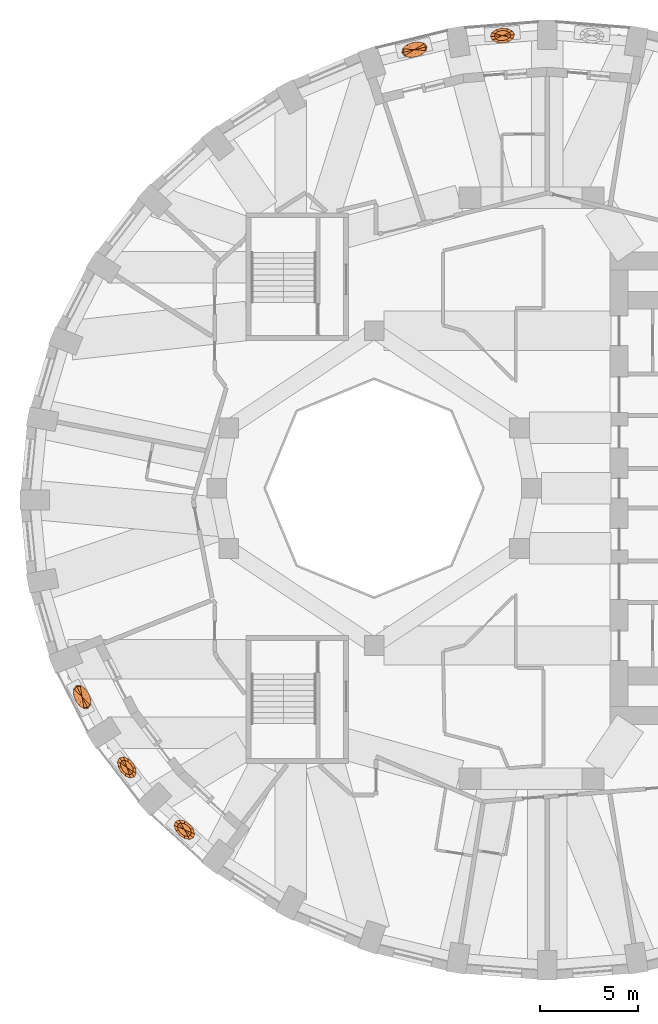
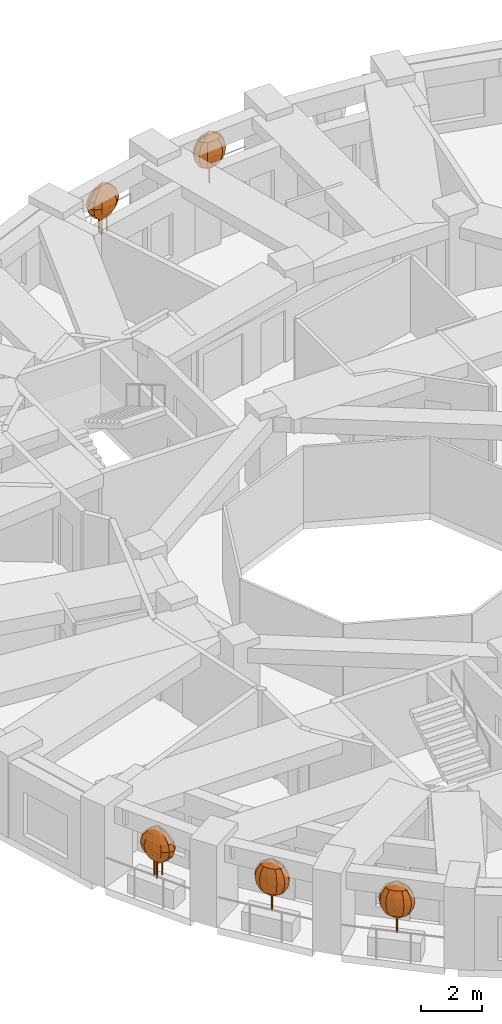
# One storey, part 11 of 12: 5 geographic elements.
"""IFC4 building model written with IfcOpenShell, lengths in metres."""

import ifcopenshell
import ifcopenshell.guid

model = None  # the IFC model being written
_history = None  # IfcOwnerHistory: only IFC2X3 demands one
_inside = {}  # id of a spatial element -> (the spatial element, [elements in it])
_under = {}  # id of a project, library or spatial element -> (it, [spatial elements below it])
_declared = {}  # id of a project -> (the project, [libraries it declares])
_typed = {}  # id of a type object -> (the type object, [elements of that type])
_made_of = {}  # id of a material, layer set ... -> (it, [elements and type objects made of it])


def new_model(schema):
    """Start an empty IFC model of exactly this schema.

    Asked for "IFC4X3", IfcOpenShell would pick the latest addendum, in which some entities
    have other attributes; the version numbers below select the first issue.
    IFC2X3 requires an IfcOwnerHistory on every rooted entity: one is made here for all.
    """
    global model, _history
    if schema == "IFC4X3":
        model = ifcopenshell.file(schema_version=(4, 3, 0, 0))
    else:
        model = ifcopenshell.file(schema=schema)
    _inside.clear()
    _under.clear()
    _declared.clear()
    _typed.clear()
    _made_of.clear()
    _history = None
    if model.schema == "IFC2X3":
        org = make("IfcOrganization", Name="unknown")
        user = make(
            "IfcPersonAndOrganization",
            ThePerson=make("IfcPerson", FamilyName="unknown"),
            TheOrganization=org,
        )
        app = make(
            "IfcApplication",
            ApplicationDeveloper=org,
            Version="unknown",
            ApplicationFullName="unknown",
            ApplicationIdentifier="unknown",
        )
        _history = make(
            "IfcOwnerHistory",
            OwningUser=user,
            OwningApplication=app,
            ChangeAction="ADDED",
            CreationDate=0,
        )
    return model


def make(cls, **values):
    """One entity of the class cls with the attributes given. An attribute that is None is left unset."""
    return model.create_entity(
        cls, **{name: value for name, value in values.items() if value is not None}
    )


def rooted(cls, **values):
    """An entity with a GlobalId (a new one), such as an element, a storey or a relation."""
    return make(cls, GlobalId=ifcopenshell.guid.new(), OwnerHistory=_history, **values)


def si_unit(unit_type, name, prefix=None):
    """IfcSIUnit, for example si_unit("LENGTHUNIT", "METRE", prefix="MILLI")."""
    return make("IfcSIUnit", UnitType=unit_type, Prefix=prefix, Name=name)


def assignment(units):
    """IfcUnitAssignment: the units of a project."""
    return None if units is None else make("IfcUnitAssignment", Units=units)


def point(xyz):
    """IfcCartesianPoint."""
    return None if xyz is None else make("IfcCartesianPoint", Coordinates=xyz)


def direction(xyz):
    """IfcDirection."""
    return None if xyz is None else make("IfcDirection", DirectionRatios=xyz)


def frame(location, z_axis=None, x_axis=None):
    """IfcAxis2Placement3D, a coordinate frame: its origin and axes. An axis left out is left unset."""
    return make(
        "IfcAxis2Placement3D",
        Location=point(location),
        Axis=direction(z_axis),
        RefDirection=direction(x_axis),
    )


def origin():
    """The frame at (0, 0, 0) with its axes left unset."""
    return frame((0.0, 0.0, 0.0))


def place(relative_to, where):
    """IfcLocalPlacement: puts the frame where relative to a parent placement (None: the world)."""
    return make(
        "IfcLocalPlacement", PlacementRelTo=relative_to, RelativePlacement=where
    )


def context(
    kind, dimensions, precision=None, world=None, true_north=None, identifier=None
):
    """IfcGeometricRepresentationContext, for example the 3D "Model" context."""
    return make(
        "IfcGeometricRepresentationContext",
        ContextIdentifier=identifier,
        ContextType=kind,
        CoordinateSpaceDimension=dimensions,
        Precision=precision,
        WorldCoordinateSystem=world,
        TrueNorth=true_north,
    )


def subcontext(parent, identifier, kind, view, scale=None):
    """IfcGeometricRepresentationSubContext, for example "Body" below "Model"."""
    return make(
        "IfcGeometricRepresentationSubContext",
        ContextIdentifier=identifier,
        ContextType=kind,
        ParentContext=parent,
        TargetScale=scale,
        TargetView=view,
    )


def project(units=None, contexts=None):
    """IfcProject with its units and contexts."""
    return rooted(
        "IfcProject",
        Name="project",
        RepresentationContexts=contexts,
        UnitsInContext=assignment(units),
    )


def spatial(cls, under=None, at=None, **own):
    """A site, building, storey or space (cls), placed at a placement, below another one or the project."""
    s = rooted(cls, ObjectPlacement=at, **own)
    if under is not None:
        _under.setdefault(under.id(), (under, []))[1].append(s)
    return s


def faces_of(points, faces, orient=None, outer=None):
    """IfcFace entities. A face is a list of loops; a loop is a list of indices into points, from 0.

    orient and outer hold one flag for each loop. By default every Orientation is true, the
    first loop of a face is its IfcFaceOuterBound and the others are IfcFaceBound.
    """
    made = []
    for i, loops in enumerate(faces):
        bounds = []
        for j, loop in enumerate(loops):
            is_outer = j == 0 if outer is None else outer[i][j]
            bounds.append(
                make(
                    "IfcFaceOuterBound" if is_outer else "IfcFaceBound",
                    Bound=make("IfcPolyLoop", Polygon=[points[k] for k in loop]),
                    Orientation=True if orient is None else orient[i][j],
                )
            )
        made.append(make("IfcFace", Bounds=bounds))
    return made


def faceted_brep(points, faces, orient=None, outer=None, voids=None):
    """IfcFacetedBrep: a solid bounded by flat faces; with voids (closed shells), ...WithVoids."""
    shared = [point(p) for p in points]
    hull = make("IfcClosedShell", CfsFaces=faces_of(shared, faces, orient, outer))
    if voids is None:
        return make("IfcFacetedBrep", Outer=hull)
    return make(
        "IfcFacetedBrepWithVoids",
        Outer=hull,
        Voids=[
            make(cls, CfsFaces=faces_of(shared, fs, o, b)) for cls, fs, o, b in voids
        ],
    )


def shape(context_of_items, identifier, shape_type, items):
    """IfcShapeRepresentation: the items that make up one representation, for example the "Body"."""
    return make(
        "IfcShapeRepresentation",
        ContextOfItems=context_of_items,
        RepresentationIdentifier=identifier,
        RepresentationType=shape_type,
        Items=items,
    )


def material(Name=None, Category=None):
    """IfcMaterial."""
    return make("IfcMaterial", Name=Name, Category=Category)


def constituent(of_material, Name=None, Category=None, fraction=None):
    """IfcMaterialConstituent: one of the materials an element consists of."""
    return make(
        "IfcMaterialConstituent",
        Name=Name,
        Material=of_material,
        Fraction=fraction,
        Category=Category,
    )


def constituent_set(constituents=None, Name=None):
    """IfcMaterialConstituentSet."""
    return make(
        "IfcMaterialConstituentSet", Name=Name, MaterialConstituents=constituents
    )


def made_of(thing, what):
    """Note that an element or type object is made of a material, layer set ...; save() writes the relation."""
    if what is not None:
        _made_of.setdefault(what.id(), (what, []))[1].append(thing)
    return thing


def type_object(cls, material=None, **own):
    """A type object (cls), such as IfcWallType, which elements share."""
    return made_of(rooted(cls, **own), material)


def element(
    cls,
    number,
    at=None,
    inside=None,
    cuts=None,
    type_object=None,
    material=None,
    context=None,
    identifier="Body",
    shape_type=None,
    held_by="IfcProductDefinitionShape",
    body=None,
    shapes=None,
    **own,
):
    """One element of the class cls, such as IfcWall. Its Tag is "e" and its number.

    at: its placement. inside: the storey or other place that contains it. cuts: it is an
    opening in that element (IfcRelVoidsElement). A single representation is given by context,
    identifier, shape_type and body (its items); several are given by shapes. held_by: the class
    of the entity that holds the representations. save() writes the other relations.
    """
    e = rooted(cls, Tag="e%d" % number, ObjectPlacement=at, **own)
    if body is not None:
        shapes = [shape(context, identifier, shape_type, body)]
    if shapes is not None:
        e.Representation = make(held_by, Representations=shapes)
    if inside is not None:
        _inside.setdefault(inside.id(), (inside, []))[1].append(e)
    if cuts is not None:
        rooted(
            "IfcRelVoidsElement", RelatingBuildingElement=cuts, RelatedOpeningElement=e
        )
    if type_object is not None:
        _typed.setdefault(type_object.id(), (type_object, []))[1].append(e)
    return made_of(e, material)


def aggregate(whole, parts):
    """IfcRelAggregates: a whole, such as a stair, and the parts it consists of."""
    return rooted("IfcRelAggregates", RelatingObject=whole, RelatedObjects=parts)


def save(model, path):
    """Write the relations noted so far, then the file.

    IfcRelAggregates (storeys below a building ...), IfcRelContainedInSpatialStructure (elements
    in a storey), IfcRelDefinesByType, IfcRelAssociatesMaterial and IfcRelDeclares: one each for
    every whole, place, type object, material and project.
    """
    for whole, parts in _under.values():
        aggregate(whole, parts)
    for where, things in _inside.values():
        rooted(
            "IfcRelContainedInSpatialStructure",
            RelatedElements=things,
            RelatingStructure=where,
        )
    for kind, things in _typed.values():
        rooted("IfcRelDefinesByType", RelatedObjects=things, RelatingType=kind)
    for what, things in _made_of.values():
        rooted("IfcRelAssociatesMaterial", RelatedObjects=things, RelatingMaterial=what)
    for by, libraries in _declared.values():
        rooted("IfcRelDeclares", RelatingContext=by, RelatedDefinitions=libraries)
    model.write(path)


model = new_model("IFC4")

# Units and contexts
model_context = context("Model", 3, precision=1e-05, world=origin(), true_north=direction((0.0, 1.0)))
body_context = subcontext(model_context, "Body", "Model", "MODEL_VIEW")
ifc_project = project(units=[si_unit("LENGTHUNIT", "METRE"), si_unit("AREAUNIT", "SQUARE_METRE"), si_unit("VOLUMEUNIT", "CUBIC_METRE"), si_unit("PLANEANGLEUNIT", "RADIAN"), si_unit("MASSUNIT", "GRAM", prefix="KILO")], contexts=[model_context])

# Site, building, storey
site_placement = place(None, origin())
site = spatial("IfcSite", under=ifc_project, at=site_placement, CompositionType="ELEMENT")
building_placement = place(site_placement, origin())
building = spatial("IfcBuilding", under=site, at=building_placement, Name="Taillehof Tower", CompositionType="ELEMENT")
storey_placement = place(building_placement, frame((0.0, 0.0, 92.199951171875)))
storey = spatial("IfcBuildingStorey", under=building, at=storey_placement, Name="L25", CompositionType="ELEMENT", Elevation=92.199951171875)

# Geographic elements
ifc_material_1 = material(Name="Tree bark", Category="timber")
ifc_constituent_1 = constituent(ifc_material_1, Name="Trunk", Category="timber")
ifc_material_2 = material(Name="Tree foliage")
ifc_constituent_2 = constituent(ifc_material_2, Name="Crown")
ifc_constituent_set_1 = constituent_set(constituents=[ifc_constituent_1, ifc_constituent_2], Name="Tree TR1 Columnar hornbeam")
geographic_element_type_1 = type_object("IfcGeographicElementType", Name="Tree TR1 Columnar hornbeam", PredefinedType="USERDEFINED", material=ifc_constituent_set_1)
geographic_element_1_placement = place(storey_placement, frame((-20.56689453125, -14.196044921875, 0.75)))
element("IfcGeographicElement", 1, at=geographic_element_1_placement, inside=storey, type_object=geographic_element_type_1, Name="Tree TR1 Columnar hornbeam", ObjectType="TREE", PredefinedType="USERDEFINED", context=body_context, shape_type="Brep", body=[
    faceted_brep([(0.030029296875, 0.0, 0.0), (0.021240234375, 0.021240234375, 0.0), (0.021240234375, 0.021240234375, 1.092529296875), (0.030029296875, 0.0, 1.092529296875), (0.0, 0.030029296875, 0.0), (0.0, 0.030029296875, 1.092529296875), (-0.021240234375, 0.021240234375, 0.0), (-0.021240234375, 0.021240234375, 1.092529296875), (-0.030029296875, 0.0, 0.0), (-0.030029296875, 0.0, 1.092529296875), (-0.021240234375, -0.021240234375, 0.0), (-0.021240234375, -0.021240234375, 1.092529296875), (0.0, -0.030029296875, 0.0), (0.0, -0.030029296875, 1.092529296875), (0.021240234375, -0.021240234375, 0.0), (0.021240234375, -0.021240234375, 1.092529296875)], [[[0, 1, 2, 3]], [[1, 4, 5, 2]], [[4, 6, 7, 5]], [[6, 8, 9, 7]], [[8, 10, 11, 9]], [[10, 12, 13, 11]], [[12, 14, 15, 13]], [[14, 0, 3, 15]], [[14, 12, 10, 8, 6, 4, 1, 0]], [[3, 2, 5, 7, 9, 11, 13, 15]]]),
    faceted_brep([(0.0, 0.0, 0.550048828125), (0.325927734375, -0.2099609375, 0.808349609375), (0.257568359375, -0.333984375, 0.808349609375), (0.306884765625, -0.02978515625, 0.808349609375), (0.20556640625, 0.158447265625, 0.808349609375), (0.04931640625, 0.30419921875, 0.808349609375), (-0.120361328125, 0.368408203125, 0.808349609375), (-0.257568359375, 0.333984375, 0.808349609375), (-0.325927734375, 0.2099609375, 0.808349609375), (-0.306884765625, 0.02978515625, 0.808349609375), (-0.20556640625, -0.158447265625, 0.808349609375), (-0.04931640625, -0.30419921875, 0.808349609375), (0.120361328125, -0.368408203125, 0.808349609375), (0.440673828125, -0.2841796875, 1.066650390625), (0.348388671875, -0.451904296875, 1.066650390625), (0.4150390625, -0.040283203125, 1.066650390625), (0.278076171875, 0.21435546875, 1.066650390625), (0.066650390625, 0.41162109375, 1.066650390625), (-0.16259765625, 0.49853515625, 1.066650390625), (-0.348388671875, 0.451904296875, 1.066650390625), (-0.440673828125, 0.2841796875, 1.066650390625), (-0.4150390625, 0.040283203125, 1.066650390625), (-0.278076171875, -0.21435546875, 1.066650390625), (-0.066650390625, -0.41162109375, 1.066650390625), (0.16259765625, -0.49853515625, 1.066650390625), (0.47705078125, -0.307373046875, 1.324951171875), (0.377197265625, -0.489013671875, 1.324951171875), (0.44921875, -0.04345703125, 1.324951171875), (0.301025390625, 0.23193359375, 1.324951171875), (0.072021484375, 0.445556640625, 1.324951171875), (-0.176025390625, 0.53955078125, 1.324951171875), (-0.377197265625, 0.489013671875, 1.324951171875), (-0.47705078125, 0.307373046875, 1.324951171875), (-0.44921875, 0.04345703125, 1.324951171875), (-0.301025390625, -0.23193359375, 1.324951171875), (-0.072021484375, -0.445556640625, 1.324951171875), (0.176025390625, -0.53955078125, 1.324951171875), (0.440673828125, -0.2841796875, 1.583251953125), (0.348388671875, -0.451904296875, 1.583251953125), (0.4150390625, -0.040283203125, 1.583251953125), (0.278076171875, 0.21435546875, 1.583251953125), (0.066650390625, 0.41162109375, 1.583251953125), (-0.16259765625, 0.49853515625, 1.583251953125), (-0.348388671875, 0.451904296875, 1.583251953125), (-0.440673828125, 0.2841796875, 1.583251953125), (-0.4150390625, 0.040283203125, 1.583251953125), (-0.278076171875, -0.21435546875, 1.583251953125), (-0.066650390625, -0.41162109375, 1.583251953125), (0.16259765625, -0.49853515625, 1.583251953125), (0.325927734375, -0.2099609375, 1.841552734375), (0.257568359375, -0.333984375, 1.841552734375), (0.306884765625, -0.02978515625, 1.841552734375), (0.20556640625, 0.158447265625, 1.841552734375), (0.04931640625, 0.30419921875, 1.841552734375), (-0.120361328125, 0.368408203125, 1.841552734375), (-0.257568359375, 0.333984375, 1.841552734375), (-0.325927734375, 0.2099609375, 1.841552734375), (-0.306884765625, 0.02978515625, 1.841552734375), (-0.20556640625, -0.158447265625, 1.841552734375), (-0.04931640625, -0.30419921875, 1.841552734375), (0.120361328125, -0.368408203125, 1.841552734375), (0.0, 0.0, 2.10009765625)], [[[0, 1, 2]], [[0, 3, 1]], [[0, 4, 3]], [[0, 5, 4]], [[0, 6, 5]], [[0, 7, 6]], [[0, 8, 7]], [[0, 9, 8]], [[0, 10, 9]], [[0, 11, 10]], [[0, 12, 11]], [[0, 2, 12]], [[2, 1, 13, 14]], [[1, 3, 15, 13]], [[3, 4, 16, 15]], [[4, 5, 17, 16]], [[5, 6, 18, 17]], [[6, 7, 19, 18]], [[7, 8, 20, 19]], [[8, 9, 21, 20]], [[9, 10, 22, 21]], [[10, 11, 23, 22]], [[11, 12, 24, 23]], [[12, 2, 14, 24]], [[14, 13, 25, 26]], [[13, 15, 27, 25]], [[15, 16, 28, 27]], [[16, 17, 29, 28]], [[17, 18, 30, 29]], [[18, 19, 31, 30]], [[19, 20, 32, 31]], [[20, 21, 33, 32]], [[21, 22, 34, 33]], [[22, 23, 35, 34]], [[23, 24, 36, 35]], [[24, 14, 26, 36]], [[26, 25, 37, 38]], [[25, 27, 39, 37]], [[27, 28, 40, 39]], [[28, 29, 41, 40]], [[29, 30, 42, 41]], [[30, 31, 43, 42]], [[31, 32, 44, 43]], [[32, 33, 45, 44]], [[33, 34, 46, 45]], [[34, 35, 47, 46]], [[35, 36, 48, 47]], [[36, 26, 38, 48]], [[38, 37, 49, 50]], [[37, 39, 51, 49]], [[39, 40, 52, 51]], [[40, 41, 53, 52]], [[41, 42, 54, 53]], [[42, 43, 55, 54]], [[43, 44, 56, 55]], [[44, 45, 57, 56]], [[45, 46, 58, 57]], [[46, 47, 59, 58]], [[47, 48, 60, 59]], [[48, 38, 50, 60]], [[50, 49, 61]], [[49, 51, 61]], [[51, 52, 61]], [[52, 53, 61]], [[53, 54, 61]], [[54, 55, 61]], [[55, 56, 61]], [[56, 57, 61]], [[57, 58, 61]], [[58, 59, 61]], [[59, 60, 61]], [[60, 50, 61]]]),
])
geographic_element_2_placement = place(storey_placement, frame((-17.643310546875, -17.360107421875, 0.75)))
element("IfcGeographicElement", 2, at=geographic_element_2_placement, inside=storey, type_object=geographic_element_type_1, Name="Tree TR1 Columnar hornbeam", ObjectType="TREE", PredefinedType="USERDEFINED", context=body_context, shape_type="Brep", body=[
    faceted_brep([(0.030029296875, 0.0, 0.0), (0.021240234375, 0.021240234375, 0.0), (0.021240234375, 0.021240234375, 1.092529296875), (0.030029296875, 0.0, 1.092529296875), (0.0, 0.030029296875, 0.0), (0.0, 0.030029296875, 1.092529296875), (-0.021240234375, 0.021240234375, 0.0), (-0.021240234375, 0.021240234375, 1.092529296875), (-0.030029296875, 0.0, 0.0), (-0.030029296875, 0.0, 1.092529296875), (-0.021240234375, -0.021240234375, 0.0), (-0.021240234375, -0.021240234375, 1.092529296875), (0.0, -0.030029296875, 0.0), (0.0, -0.030029296875, 1.092529296875), (0.021240234375, -0.021240234375, 0.0), (0.021240234375, -0.021240234375, 1.092529296875)], [[[0, 1, 2, 3]], [[1, 4, 5, 2]], [[4, 6, 7, 5]], [[6, 8, 9, 7]], [[8, 10, 11, 9]], [[10, 12, 13, 11]], [[12, 14, 15, 13]], [[14, 0, 3, 15]], [[14, 12, 10, 8, 6, 4, 1, 0]], [[3, 2, 5, 7, 9, 11, 13, 15]]]),
    faceted_brep([(0.0, 0.0, 0.550048828125), (0.357666015625, -0.1494140625, 0.808349609375), (0.312255859375, -0.283447265625, 0.808349609375), (0.30712890625, 0.024658203125, 0.808349609375), (0.174560546875, 0.192138671875, 0.808349609375), (-0.005126953125, 0.30810546875, 0.808349609375), (-0.18310546875, 0.341552734375, 0.808349609375), (-0.312255859375, 0.283447265625, 0.808349609375), (-0.357666015625, 0.1494140625, 0.808349609375), (-0.30712890625, -0.024658203125, 0.808349609375), (-0.174560546875, -0.192138671875, 0.808349609375), (0.005126953125, -0.30810546875, 0.808349609375), (0.18310546875, -0.341552734375, 0.808349609375), (0.48388671875, -0.2021484375, 1.066650390625), (0.42236328125, -0.383544921875, 1.066650390625), (0.41552734375, 0.033447265625, 1.066650390625), (0.236083984375, 0.260009765625, 1.066650390625), (-0.0068359375, 0.4169921875, 1.066650390625), (-0.247802734375, 0.462158203125, 1.066650390625), (-0.42236328125, 0.383544921875, 1.066650390625), (-0.48388671875, 0.2021484375, 1.066650390625), (-0.41552734375, -0.033447265625, 1.066650390625), (-0.236083984375, -0.260009765625, 1.066650390625), (0.0068359375, -0.4169921875, 1.066650390625), (0.247802734375, -0.462158203125, 1.066650390625), (0.523681640625, -0.21875, 1.324951171875), (0.457275390625, -0.4150390625, 1.324951171875), (0.44970703125, 0.0361328125, 1.324951171875), (0.25537109375, 0.28125, 1.324951171875), (-0.00732421875, 0.451171875, 1.324951171875), (-0.268310546875, 0.500244140625, 1.324951171875), (-0.457275390625, 0.4150390625, 1.324951171875), (-0.523681640625, 0.21875, 1.324951171875), (-0.44970703125, -0.0361328125, 1.324951171875), (-0.25537109375, -0.28125, 1.324951171875), (0.00732421875, -0.451171875, 1.324951171875), (0.268310546875, -0.500244140625, 1.324951171875), (0.48388671875, -0.2021484375, 1.583251953125), (0.42236328125, -0.383544921875, 1.583251953125), (0.41552734375, 0.033447265625, 1.583251953125), (0.236083984375, 0.260009765625, 1.583251953125), (-0.0068359375, 0.4169921875, 1.583251953125), (-0.247802734375, 0.462158203125, 1.583251953125), (-0.42236328125, 0.383544921875, 1.583251953125), (-0.48388671875, 0.2021484375, 1.583251953125), (-0.41552734375, -0.033447265625, 1.583251953125), (-0.236083984375, -0.260009765625, 1.583251953125), (0.0068359375, -0.4169921875, 1.583251953125), (0.247802734375, -0.462158203125, 1.583251953125), (0.357666015625, -0.1494140625, 1.841552734375), (0.312255859375, -0.283447265625, 1.841552734375), (0.30712890625, 0.024658203125, 1.841552734375), (0.174560546875, 0.192138671875, 1.841552734375), (-0.005126953125, 0.30810546875, 1.841552734375), (-0.18310546875, 0.341552734375, 1.841552734375), (-0.312255859375, 0.283447265625, 1.841552734375), (-0.357666015625, 0.1494140625, 1.841552734375), (-0.30712890625, -0.024658203125, 1.841552734375), (-0.174560546875, -0.192138671875, 1.841552734375), (0.005126953125, -0.30810546875, 1.841552734375), (0.18310546875, -0.341552734375, 1.841552734375), (0.0, 0.0, 2.10009765625)], [[[0, 1, 2]], [[0, 3, 1]], [[0, 4, 3]], [[0, 5, 4]], [[0, 6, 5]], [[0, 7, 6]], [[0, 8, 7]], [[0, 9, 8]], [[0, 10, 9]], [[0, 11, 10]], [[0, 12, 11]], [[0, 2, 12]], [[2, 1, 13, 14]], [[1, 3, 15, 13]], [[3, 4, 16, 15]], [[4, 5, 17, 16]], [[5, 6, 18, 17]], [[6, 7, 19, 18]], [[7, 8, 20, 19]], [[8, 9, 21, 20]], [[9, 10, 22, 21]], [[10, 11, 23, 22]], [[11, 12, 24, 23]], [[12, 2, 14, 24]], [[14, 13, 25, 26]], [[13, 15, 27, 25]], [[15, 16, 28, 27]], [[16, 17, 29, 28]], [[17, 18, 30, 29]], [[18, 19, 31, 30]], [[19, 20, 32, 31]], [[20, 21, 33, 32]], [[21, 22, 34, 33]], [[22, 23, 35, 34]], [[23, 24, 36, 35]], [[24, 14, 26, 36]], [[26, 25, 37, 38]], [[25, 27, 39, 37]], [[27, 28, 40, 39]], [[28, 29, 41, 40]], [[29, 30, 42, 41]], [[30, 31, 43, 42]], [[31, 32, 44, 43]], [[32, 33, 45, 44]], [[33, 34, 46, 45]], [[34, 35, 47, 46]], [[35, 36, 48, 47]], [[36, 26, 38, 48]], [[38, 37, 49, 50]], [[37, 39, 51, 49]], [[39, 40, 52, 51]], [[40, 41, 53, 52]], [[41, 42, 54, 53]], [[42, 43, 55, 54]], [[43, 44, 56, 55]], [[44, 45, 57, 56]], [[45, 46, 58, 57]], [[46, 47, 59, 58]], [[47, 48, 60, 59]], [[48, 38, 50, 60]], [[50, 49, 61]], [[49, 51, 61]], [[51, 52, 61]], [[52, 53, 61]], [[53, 54, 61]], [[54, 55, 61]], [[55, 56, 61]], [[56, 57, 61]], [[57, 58, 61]], [[58, 59, 61]], [[59, 60, 61]], [[60, 50, 61]]]),
])
geographic_element_3_placement = place(storey_placement, frame((-1.472900390625, 23.007568359375, 0.75)))
element("IfcGeographicElement", 3, at=geographic_element_3_placement, inside=storey, type_object=geographic_element_type_1, Name="Tree TR1 Columnar hornbeam", ObjectType="TREE", PredefinedType="USERDEFINED", context=body_context, shape_type="Brep", body=[
    faceted_brep([(0.030029296875, 0.0, 0.0), (0.021240234375, 0.021240234375, 0.0), (0.021240234375, 0.021240234375, 1.092529296875), (0.030029296875, 0.0, 1.092529296875), (0.0, 0.030029296875, 0.0), (0.0, 0.030029296875, 1.092529296875), (-0.021240234375, 0.021240234375, 0.0), (-0.021240234375, 0.021240234375, 1.092529296875), (-0.030029296875, 0.0, 0.0), (-0.030029296875, 0.0, 1.092529296875), (-0.021240234375, -0.021240234375, 0.0), (-0.021240234375, -0.021240234375, 1.092529296875), (0.0, -0.030029296875, 0.0), (0.0, -0.030029296875, 1.092529296875), (0.021240234375, -0.021240234375, 0.0), (0.021240234375, -0.021240234375, 1.092529296875)], [[[0, 1, 2, 3]], [[1, 4, 5, 2]], [[4, 6, 7, 5]], [[6, 8, 9, 7]], [[8, 10, 11, 9]], [[10, 12, 13, 11]], [[12, 14, 15, 13]], [[14, 0, 3, 15]], [[14, 12, 10, 8, 6, 4, 1, 0]], [[3, 2, 5, 7, 9, 11, 13, 15]]]),
    faceted_brep([(0.0, 0.0, 0.550048828125), (-0.353759765625, -0.158203125, 0.808349609375), (-0.42041015625, -0.033447265625, 0.808349609375), (-0.1923828125, -0.24072265625, 0.808349609375), (0.0205078125, -0.2587890625, 0.808349609375), (0.22802734375, -0.207275390625, 0.808349609375), (0.374267578125, -0.100341796875, 0.808349609375), (0.42041015625, 0.033447265625, 0.808349609375), (0.353759765625, 0.158203125, 0.808349609375), (0.1923828125, 0.24072265625, 0.808349609375), (-0.0205078125, 0.2587890625, 0.808349609375), (-0.22802734375, 0.207275390625, 0.808349609375), (-0.374267578125, 0.100341796875, 0.808349609375), (-0.478759765625, -0.214111328125, 1.066650390625), (-0.56884765625, -0.045166015625, 1.066650390625), (-0.26025390625, -0.32568359375, 1.066650390625), (0.02783203125, -0.35009765625, 1.066650390625), (0.308349609375, -0.280517578125, 1.066650390625), (0.50634765625, -0.135986328125, 1.066650390625), (0.56884765625, 0.045166015625, 1.066650390625), (0.478759765625, 0.214111328125, 1.066650390625), (0.26025390625, 0.32568359375, 1.066650390625), (-0.02783203125, 0.35009765625, 1.066650390625), (-0.308349609375, 0.280517578125, 1.066650390625), (-0.50634765625, 0.135986328125, 1.066650390625), (-0.51806640625, -0.231689453125, 1.324951171875), (-0.615478515625, -0.048828125, 1.324951171875), (-0.28173828125, -0.3525390625, 1.324951171875), (0.030029296875, -0.37890625, 1.324951171875), (0.333740234375, -0.3037109375, 1.324951171875), (0.548095703125, -0.14697265625, 1.324951171875), (0.615478515625, 0.048828125, 1.324951171875), (0.51806640625, 0.231689453125, 1.324951171875), (0.28173828125, 0.3525390625, 1.324951171875), (-0.030029296875, 0.37890625, 1.324951171875), (-0.333740234375, 0.3037109375, 1.324951171875), (-0.548095703125, 0.14697265625, 1.324951171875), (-0.478759765625, -0.214111328125, 1.583251953125), (-0.56884765625, -0.045166015625, 1.583251953125), (-0.26025390625, -0.32568359375, 1.583251953125), (0.02783203125, -0.35009765625, 1.583251953125), (0.308349609375, -0.280517578125, 1.583251953125), (0.50634765625, -0.135986328125, 1.583251953125), (0.56884765625, 0.045166015625, 1.583251953125), (0.478759765625, 0.214111328125, 1.583251953125), (0.26025390625, 0.32568359375, 1.583251953125), (-0.02783203125, 0.35009765625, 1.583251953125), (-0.308349609375, 0.280517578125, 1.583251953125), (-0.50634765625, 0.135986328125, 1.583251953125), (-0.353759765625, -0.158203125, 1.841552734375), (-0.42041015625, -0.033447265625, 1.841552734375), (-0.1923828125, -0.24072265625, 1.841552734375), (0.0205078125, -0.2587890625, 1.841552734375), (0.22802734375, -0.207275390625, 1.841552734375), (0.374267578125, -0.100341796875, 1.841552734375), (0.42041015625, 0.033447265625, 1.841552734375), (0.353759765625, 0.158203125, 1.841552734375), (0.1923828125, 0.24072265625, 1.841552734375), (-0.0205078125, 0.2587890625, 1.841552734375), (-0.22802734375, 0.207275390625, 1.841552734375), (-0.374267578125, 0.100341796875, 1.841552734375), (0.0, 0.0, 2.10009765625)], [[[0, 1, 2]], [[0, 3, 1]], [[0, 4, 3]], [[0, 5, 4]], [[0, 6, 5]], [[0, 7, 6]], [[0, 8, 7]], [[0, 9, 8]], [[0, 10, 9]], [[0, 11, 10]], [[0, 12, 11]], [[0, 2, 12]], [[2, 1, 13, 14]], [[1, 3, 15, 13]], [[3, 4, 16, 15]], [[4, 5, 17, 16]], [[5, 6, 18, 17]], [[6, 7, 19, 18]], [[7, 8, 20, 19]], [[8, 9, 21, 20]], [[9, 10, 22, 21]], [[10, 11, 23, 22]], [[11, 12, 24, 23]], [[12, 2, 14, 24]], [[14, 13, 25, 26]], [[13, 15, 27, 25]], [[15, 16, 28, 27]], [[16, 17, 29, 28]], [[17, 18, 30, 29]], [[18, 19, 31, 30]], [[19, 20, 32, 31]], [[20, 21, 33, 32]], [[21, 22, 34, 33]], [[22, 23, 35, 34]], [[23, 24, 36, 35]], [[24, 14, 26, 36]], [[26, 25, 37, 38]], [[25, 27, 39, 37]], [[27, 28, 40, 39]], [[28, 29, 41, 40]], [[29, 30, 42, 41]], [[30, 31, 43, 42]], [[31, 32, 44, 43]], [[32, 33, 45, 44]], [[33, 34, 46, 45]], [[34, 35, 47, 46]], [[35, 36, 48, 47]], [[36, 26, 38, 48]], [[38, 37, 49, 50]], [[37, 39, 51, 49]], [[39, 40, 52, 51]], [[40, 41, 53, 52]], [[41, 42, 54, 53]], [[42, 43, 55, 54]], [[43, 44, 56, 55]], [[44, 45, 57, 56]], [[45, 46, 58, 57]], [[46, 47, 59, 58]], [[47, 48, 60, 59]], [[48, 38, 50, 60]], [[50, 49, 61]], [[49, 51, 61]], [[51, 52, 61]], [[52, 53, 61]], [[53, 54, 61]], [[54, 55, 61]], [[55, 56, 61]], [[56, 57, 61]], [[57, 58, 61]], [[58, 59, 61]], [[59, 60, 61]], [[60, 50, 61]]]),
])
ifc_material_3 = material(Name="Tree bark", Category="timber")
ifc_constituent_3 = constituent(ifc_material_3, Name="Trunk", Category="timber")
ifc_material_4 = material(Name="Tree foliage")
ifc_constituent_4 = constituent(ifc_material_4, Name="Crown")
ifc_constituent_set_2 = constituent_set(constituents=[ifc_constituent_3, ifc_constituent_4], Name="Tree TR3 Multi-stem serviceberry")
geographic_element_type_2 = type_object("IfcGeographicElementType", Name="Tree TR3 Multi-stem serviceberry", PredefinedType="USERDEFINED", material=ifc_constituent_set_2)
geographic_element_4_placement = place(storey_placement, frame((-22.841796875, -10.618408203125, 0.75)))
element("IfcGeographicElement", 4, at=geographic_element_4_placement, inside=storey, type_object=geographic_element_type_2, Name="Tree TR3 Multi-stem serviceberry", ObjectType="TREE", PredefinedType="USERDEFINED", context=body_context, shape_type="Brep", body=[
    faceted_brep([(0.195068359375, 0.0, 0.0), (0.186767578125, 0.0205078125, 0.0), (0.186767578125, 0.0205078125, 1.04248046875), (0.195068359375, 0.0, 1.04248046875), (0.166259765625, 0.02880859375, 0.0), (0.166259765625, 0.02880859375, 1.04248046875), (0.145751953125, 0.0205078125, 0.0), (0.145751953125, 0.0205078125, 1.04248046875), (0.137451171875, 0.0, 0.0), (0.137451171875, 0.0, 1.04248046875), (0.145751953125, -0.0205078125, 0.0), (0.145751953125, -0.0205078125, 1.04248046875), (0.166259765625, -0.02880859375, 0.0), (0.166259765625, -0.02880859375, 1.04248046875), (0.186767578125, -0.0205078125, 0.0), (0.186767578125, -0.0205078125, 1.04248046875)], [[[0, 1, 2, 3]], [[1, 4, 5, 2]], [[4, 6, 7, 5]], [[6, 8, 9, 7]], [[8, 10, 11, 9]], [[10, 12, 13, 11]], [[12, 14, 15, 13]], [[14, 0, 3, 15]], [[14, 12, 10, 8, 6, 4, 1, 0]], [[3, 2, 5, 7, 9, 11, 13, 15]]]),
    faceted_brep([(-0.05419921875, 0.082275390625, 0.0), (-0.062744140625, 0.102783203125, 0.0), (-0.062744140625, 0.102783203125, 1.04248046875), (-0.05419921875, 0.082275390625, 1.04248046875), (-0.0830078125, 0.111083984375, 0.0), (-0.0830078125, 0.111083984375, 1.04248046875), (-0.103515625, 0.102783203125, 0.0), (-0.103515625, 0.102783203125, 1.04248046875), (-0.112060546875, 0.082275390625, 0.0), (-0.112060546875, 0.082275390625, 1.04248046875), (-0.103515625, 0.061767578125, 0.0), (-0.103515625, 0.061767578125, 1.04248046875), (-0.0830078125, 0.053466796875, 0.0), (-0.0830078125, 0.053466796875, 1.04248046875), (-0.062744140625, 0.061767578125, 0.0), (-0.062744140625, 0.061767578125, 1.04248046875)], [[[0, 1, 2, 3]], [[1, 4, 5, 2]], [[4, 6, 7, 5]], [[6, 8, 9, 7]], [[8, 10, 11, 9]], [[10, 12, 13, 11]], [[12, 14, 15, 13]], [[14, 0, 3, 15]], [[14, 12, 10, 8, 6, 4, 1, 0]], [[3, 2, 5, 7, 9, 11, 13, 15]]]),
    faceted_brep([(-0.05419921875, -0.082275390625, 0.0), (-0.062744140625, -0.061767578125, 0.0), (-0.062744140625, -0.061767578125, 1.04248046875), (-0.05419921875, -0.082275390625, 1.04248046875), (-0.0830078125, -0.053466796875, 0.0), (-0.0830078125, -0.053466796875, 1.04248046875), (-0.103515625, -0.061767578125, 0.0), (-0.103515625, -0.061767578125, 1.04248046875), (-0.112060546875, -0.082275390625, 0.0), (-0.112060546875, -0.082275390625, 1.04248046875), (-0.103515625, -0.102783203125, 0.0), (-0.103515625, -0.102783203125, 1.04248046875), (-0.0830078125, -0.111083984375, 0.0), (-0.0830078125, -0.111083984375, 1.04248046875), (-0.062744140625, -0.102783203125, 0.0), (-0.062744140625, -0.102783203125, 1.04248046875)], [[[0, 1, 2, 3]], [[1, 4, 5, 2]], [[4, 6, 7, 5]], [[6, 8, 9, 7]], [[8, 10, 11, 9]], [[10, 12, 13, 11]], [[12, 14, 15, 13]], [[14, 0, 3, 15]], [[14, 12, 10, 8, 6, 4, 1, 0]], [[3, 2, 5, 7, 9, 11, 13, 15]]]),
    faceted_brep([(0.0, 0.0, 0.5), (0.248291015625, -0.244384765625, 0.75830078125), (0.174560546875, -0.33984375, 0.75830078125), (0.25537109375, -0.08349609375, 0.75830078125), (0.194091796875, 0.099609375, 0.75830078125), (0.080810546875, 0.25634765625, 0.75830078125), (-0.053955078125, 0.343994140625, 0.75830078125), (-0.174560546875, 0.33984375, 0.75830078125), (-0.248291015625, 0.244384765625, 0.75830078125), (-0.25537109375, 0.08349609375, 0.75830078125), (-0.194091796875, -0.099609375, 0.75830078125), (-0.080810546875, -0.25634765625, 0.75830078125), (0.053955078125, -0.343994140625, 0.75830078125), (0.38525390625, -0.379150390625, 1.0166015625), (0.270751953125, -0.52734375, 1.0166015625), (0.396240234375, -0.129638671875, 1.0166015625), (0.30126953125, 0.15478515625, 1.0166015625), (0.12548828125, 0.397705078125, 1.0166015625), (-0.083740234375, 0.533935546875, 1.0166015625), (-0.270751953125, 0.52734375, 1.0166015625), (-0.38525390625, 0.379150390625, 1.0166015625), (-0.396240234375, 0.129638671875, 1.0166015625), (-0.30126953125, -0.15478515625, 1.0166015625), (-0.12548828125, -0.397705078125, 1.0166015625), (0.083740234375, -0.533935546875, 1.0166015625), (0.43212890625, -0.425537109375, 1.27490234375), (0.3037109375, -0.591552734375, 1.27490234375), (0.444580078125, -0.1455078125, 1.27490234375), (0.338134765625, 0.173583984375, 1.27490234375), (0.140869140625, 0.446044921875, 1.27490234375), (-0.093994140625, 0.59912109375, 1.27490234375), (-0.3037109375, 0.591552734375, 1.27490234375), (-0.43212890625, 0.425537109375, 1.27490234375), (-0.444580078125, 0.1455078125, 1.27490234375), (-0.338134765625, -0.173583984375, 1.27490234375), (-0.140869140625, -0.446044921875, 1.27490234375), (0.093994140625, -0.59912109375, 1.27490234375), (0.38525390625, -0.379150390625, 1.533447265625), (0.270751953125, -0.52734375, 1.533447265625), (0.396240234375, -0.129638671875, 1.533447265625), (0.30126953125, 0.15478515625, 1.533447265625), (0.12548828125, 0.397705078125, 1.533447265625), (-0.083740234375, 0.533935546875, 1.533447265625), (-0.270751953125, 0.52734375, 1.533447265625), (-0.38525390625, 0.379150390625, 1.533447265625), (-0.396240234375, 0.129638671875, 1.533447265625), (-0.30126953125, -0.15478515625, 1.533447265625), (-0.12548828125, -0.397705078125, 1.533447265625), (0.083740234375, -0.533935546875, 1.533447265625), (0.248291015625, -0.244384765625, 1.791748046875), (0.174560546875, -0.33984375, 1.791748046875), (0.25537109375, -0.08349609375, 1.791748046875), (0.194091796875, 0.099609375, 1.791748046875), (0.080810546875, 0.25634765625, 1.791748046875), (-0.053955078125, 0.343994140625, 1.791748046875), (-0.174560546875, 0.33984375, 1.791748046875), (-0.248291015625, 0.244384765625, 1.791748046875), (-0.25537109375, 0.08349609375, 1.791748046875), (-0.194091796875, -0.099609375, 1.791748046875), (-0.080810546875, -0.25634765625, 1.791748046875), (0.053955078125, -0.343994140625, 1.791748046875), (0.0, 0.0, 2.050048828125)], [[[0, 1, 2]], [[0, 3, 1]], [[0, 4, 3]], [[0, 5, 4]], [[0, 6, 5]], [[0, 7, 6]], [[0, 8, 7]], [[0, 9, 8]], [[0, 10, 9]], [[0, 11, 10]], [[0, 12, 11]], [[0, 2, 12]], [[2, 1, 13, 14]], [[1, 3, 15, 13]], [[3, 4, 16, 15]], [[4, 5, 17, 16]], [[5, 6, 18, 17]], [[6, 7, 19, 18]], [[7, 8, 20, 19]], [[8, 9, 21, 20]], [[9, 10, 22, 21]], [[10, 11, 23, 22]], [[11, 12, 24, 23]], [[12, 2, 14, 24]], [[14, 13, 25, 26]], [[13, 15, 27, 25]], [[15, 16, 28, 27]], [[16, 17, 29, 28]], [[17, 18, 30, 29]], [[18, 19, 31, 30]], [[19, 20, 32, 31]], [[20, 21, 33, 32]], [[21, 22, 34, 33]], [[22, 23, 35, 34]], [[23, 24, 36, 35]], [[24, 14, 26, 36]], [[26, 25, 37, 38]], [[25, 27, 39, 37]], [[27, 28, 40, 39]], [[28, 29, 41, 40]], [[29, 30, 42, 41]], [[30, 31, 43, 42]], [[31, 32, 44, 43]], [[32, 33, 45, 44]], [[33, 34, 46, 45]], [[34, 35, 47, 46]], [[35, 36, 48, 47]], [[36, 26, 38, 48]], [[38, 37, 49, 50]], [[37, 39, 51, 49]], [[39, 40, 52, 51]], [[40, 41, 53, 52]], [[41, 42, 54, 53]], [[42, 43, 55, 54]], [[43, 44, 56, 55]], [[44, 45, 57, 56]], [[45, 46, 58, 57]], [[46, 47, 59, 58]], [[47, 48, 60, 59]], [[48, 38, 50, 60]], [[50, 49, 61]], [[49, 51, 61]], [[51, 52, 61]], [[52, 53, 61]], [[53, 54, 61]], [[54, 55, 61]], [[55, 56, 61]], [[56, 57, 61]], [[57, 58, 61]], [[58, 59, 61]], [[59, 60, 61]], [[60, 50, 61]]]),
])
geographic_element_5_placement = place(storey_placement, frame((-5.94970703125, 22.290771484375, 0.75)))
element("IfcGeographicElement", 5, at=geographic_element_5_placement, inside=storey, type_object=geographic_element_type_2, Name="Tree TR3 Multi-stem serviceberry", ObjectType="TREE", PredefinedType="USERDEFINED", context=body_context, shape_type="Brep", body=[
    faceted_brep([(0.195068359375, 0.0, 0.0), (0.186767578125, 0.0205078125, 0.0), (0.186767578125, 0.0205078125, 1.04248046875), (0.195068359375, 0.0, 1.04248046875), (0.166259765625, 0.02880859375, 0.0), (0.166259765625, 0.02880859375, 1.04248046875), (0.145751953125, 0.0205078125, 0.0), (0.145751953125, 0.0205078125, 1.04248046875), (0.137451171875, 0.0, 0.0), (0.137451171875, 0.0, 1.04248046875), (0.145751953125, -0.0205078125, 0.0), (0.145751953125, -0.0205078125, 1.04248046875), (0.166259765625, -0.02880859375, 0.0), (0.166259765625, -0.02880859375, 1.04248046875), (0.186767578125, -0.0205078125, 0.0), (0.186767578125, -0.0205078125, 1.04248046875)], [[[0, 1, 2, 3]], [[1, 4, 5, 2]], [[4, 6, 7, 5]], [[6, 8, 9, 7]], [[8, 10, 11, 9]], [[10, 12, 13, 11]], [[12, 14, 15, 13]], [[14, 0, 3, 15]], [[14, 12, 10, 8, 6, 4, 1, 0]], [[3, 2, 5, 7, 9, 11, 13, 15]]]),
    faceted_brep([(-0.05419921875, 0.082275390625, 0.0), (-0.062744140625, 0.102783203125, 0.0), (-0.062744140625, 0.102783203125, 1.04248046875), (-0.05419921875, 0.082275390625, 1.04248046875), (-0.0830078125, 0.111083984375, 0.0), (-0.0830078125, 0.111083984375, 1.04248046875), (-0.103515625, 0.102783203125, 0.0), (-0.103515625, 0.102783203125, 1.04248046875), (-0.112060546875, 0.082275390625, 0.0), (-0.112060546875, 0.082275390625, 1.04248046875), (-0.103515625, 0.061767578125, 0.0), (-0.103515625, 0.061767578125, 1.04248046875), (-0.0830078125, 0.053466796875, 0.0), (-0.0830078125, 0.053466796875, 1.04248046875), (-0.062744140625, 0.061767578125, 0.0), (-0.062744140625, 0.061767578125, 1.04248046875)], [[[0, 1, 2, 3]], [[1, 4, 5, 2]], [[4, 6, 7, 5]], [[6, 8, 9, 7]], [[8, 10, 11, 9]], [[10, 12, 13, 11]], [[12, 14, 15, 13]], [[14, 0, 3, 15]], [[14, 12, 10, 8, 6, 4, 1, 0]], [[3, 2, 5, 7, 9, 11, 13, 15]]]),
    faceted_brep([(-0.05419921875, -0.082275390625, 0.0), (-0.062744140625, -0.061767578125, 0.0), (-0.062744140625, -0.061767578125, 1.04248046875), (-0.05419921875, -0.082275390625, 1.04248046875), (-0.0830078125, -0.053466796875, 0.0), (-0.0830078125, -0.053466796875, 1.04248046875), (-0.103515625, -0.061767578125, 0.0), (-0.103515625, -0.061767578125, 1.04248046875), (-0.112060546875, -0.082275390625, 0.0), (-0.112060546875, -0.082275390625, 1.04248046875), (-0.103515625, -0.102783203125, 0.0), (-0.103515625, -0.102783203125, 1.04248046875), (-0.0830078125, -0.111083984375, 0.0), (-0.0830078125, -0.111083984375, 1.04248046875), (-0.062744140625, -0.102783203125, 0.0), (-0.062744140625, -0.102783203125, 1.04248046875)], [[[0, 1, 2, 3]], [[1, 4, 5, 2]], [[4, 6, 7, 5]], [[6, 8, 9, 7]], [[8, 10, 11, 9]], [[10, 12, 13, 11]], [[12, 14, 15, 13]], [[14, 0, 3, 15]], [[14, 12, 10, 8, 6, 4, 1, 0]], [[3, 2, 5, 7, 9, 11, 13, 15]]]),
    faceted_brep([(0.0, 0.0, 0.5), (-0.295654296875, -0.184326171875, 0.75830078125), (-0.37109375, -0.09033203125, 0.75830078125), (-0.140869140625, -0.228759765625, 0.75830078125), (0.051513671875, -0.212158203125, 0.75830078125), (0.230224609375, -0.138427734375, 0.75830078125), (0.34716796875, -0.02783203125, 0.75830078125), (0.37109375, 0.09033203125, 0.75830078125), (0.295654296875, 0.184326171875, 0.75830078125), (0.140869140625, 0.228759765625, 0.75830078125), (-0.051513671875, 0.212158203125, 0.75830078125), (-0.230224609375, 0.138427734375, 0.75830078125), (-0.34716796875, 0.02783203125, 0.75830078125), (-0.458740234375, -0.285888671875, 1.0166015625), (-0.575927734375, -0.14013671875, 1.0166015625), (-0.218505859375, -0.35498046875, 1.0166015625), (0.080078125, -0.3291015625, 1.0166015625), (0.357177734375, -0.21484375, 1.0166015625), (0.538818359375, -0.043212890625, 1.0166015625), (0.575927734375, 0.14013671875, 1.0166015625), (0.458740234375, 0.285888671875, 1.0166015625), (0.218505859375, 0.35498046875, 1.0166015625), (-0.080078125, 0.3291015625, 1.0166015625), (-0.357177734375, 0.21484375, 1.0166015625), (-0.538818359375, 0.043212890625, 1.0166015625), (-0.5146484375, -0.32080078125, 1.27490234375), (-0.646240234375, -0.1572265625, 1.27490234375), (-0.245361328125, -0.3984375, 1.27490234375), (0.08984375, -0.369140625, 1.27490234375), (0.40087890625, -0.2412109375, 1.27490234375), (0.6044921875, -0.048583984375, 1.27490234375), (0.646240234375, 0.1572265625, 1.27490234375), (0.5146484375, 0.32080078125, 1.27490234375), (0.245361328125, 0.3984375, 1.27490234375), (-0.08984375, 0.369140625, 1.27490234375), (-0.40087890625, 0.2412109375, 1.27490234375), (-0.6044921875, 0.048583984375, 1.27490234375), (-0.458740234375, -0.285888671875, 1.533447265625), (-0.575927734375, -0.14013671875, 1.533447265625), (-0.218505859375, -0.35498046875, 1.533447265625), (0.080078125, -0.3291015625, 1.533447265625), (0.357177734375, -0.21484375, 1.533447265625), (0.538818359375, -0.043212890625, 1.533447265625), (0.575927734375, 0.14013671875, 1.533447265625), (0.458740234375, 0.285888671875, 1.533447265625), (0.218505859375, 0.35498046875, 1.533447265625), (-0.080078125, 0.3291015625, 1.533447265625), (-0.357177734375, 0.21484375, 1.533447265625), (-0.538818359375, 0.043212890625, 1.533447265625), (-0.295654296875, -0.184326171875, 1.791748046875), (-0.37109375, -0.09033203125, 1.791748046875), (-0.140869140625, -0.228759765625, 1.791748046875), (0.051513671875, -0.212158203125, 1.791748046875), (0.230224609375, -0.138427734375, 1.791748046875), (0.34716796875, -0.02783203125, 1.791748046875), (0.37109375, 0.09033203125, 1.791748046875), (0.295654296875, 0.184326171875, 1.791748046875), (0.140869140625, 0.228759765625, 1.791748046875), (-0.051513671875, 0.212158203125, 1.791748046875), (-0.230224609375, 0.138427734375, 1.791748046875), (-0.34716796875, 0.02783203125, 1.791748046875), (0.0, 0.0, 2.050048828125)], [[[0, 1, 2]], [[0, 3, 1]], [[0, 4, 3]], [[0, 5, 4]], [[0, 6, 5]], [[0, 7, 6]], [[0, 8, 7]], [[0, 9, 8]], [[0, 10, 9]], [[0, 11, 10]], [[0, 12, 11]], [[0, 2, 12]], [[2, 1, 13, 14]], [[1, 3, 15, 13]], [[3, 4, 16, 15]], [[4, 5, 17, 16]], [[5, 6, 18, 17]], [[6, 7, 19, 18]], [[7, 8, 20, 19]], [[8, 9, 21, 20]], [[9, 10, 22, 21]], [[10, 11, 23, 22]], [[11, 12, 24, 23]], [[12, 2, 14, 24]], [[14, 13, 25, 26]], [[13, 15, 27, 25]], [[15, 16, 28, 27]], [[16, 17, 29, 28]], [[17, 18, 30, 29]], [[18, 19, 31, 30]], [[19, 20, 32, 31]], [[20, 21, 33, 32]], [[21, 22, 34, 33]], [[22, 23, 35, 34]], [[23, 24, 36, 35]], [[24, 14, 26, 36]], [[26, 25, 37, 38]], [[25, 27, 39, 37]], [[27, 28, 40, 39]], [[28, 29, 41, 40]], [[29, 30, 42, 41]], [[30, 31, 43, 42]], [[31, 32, 44, 43]], [[32, 33, 45, 44]], [[33, 34, 46, 45]], [[34, 35, 47, 46]], [[35, 36, 48, 47]], [[36, 26, 38, 48]], [[38, 37, 49, 50]], [[37, 39, 51, 49]], [[39, 40, 52, 51]], [[40, 41, 53, 52]], [[41, 42, 54, 53]], [[42, 43, 55, 54]], [[43, 44, 56, 55]], [[44, 45, 57, 56]], [[45, 46, 58, 57]], [[46, 47, 59, 58]], [[47, 48, 60, 59]], [[48, 38, 50, 60]], [[50, 49, 61]], [[49, 51, 61]], [[51, 52, 61]], [[52, 53, 61]], [[53, 54, 61]], [[54, 55, 61]], [[55, 56, 61]], [[56, 57, 61]], [[57, 58, 61]], [[58, 59, 61]], [[59, 60, 61]], [[60, 50, 61]]]),
])

save(model, "model.ifc")
